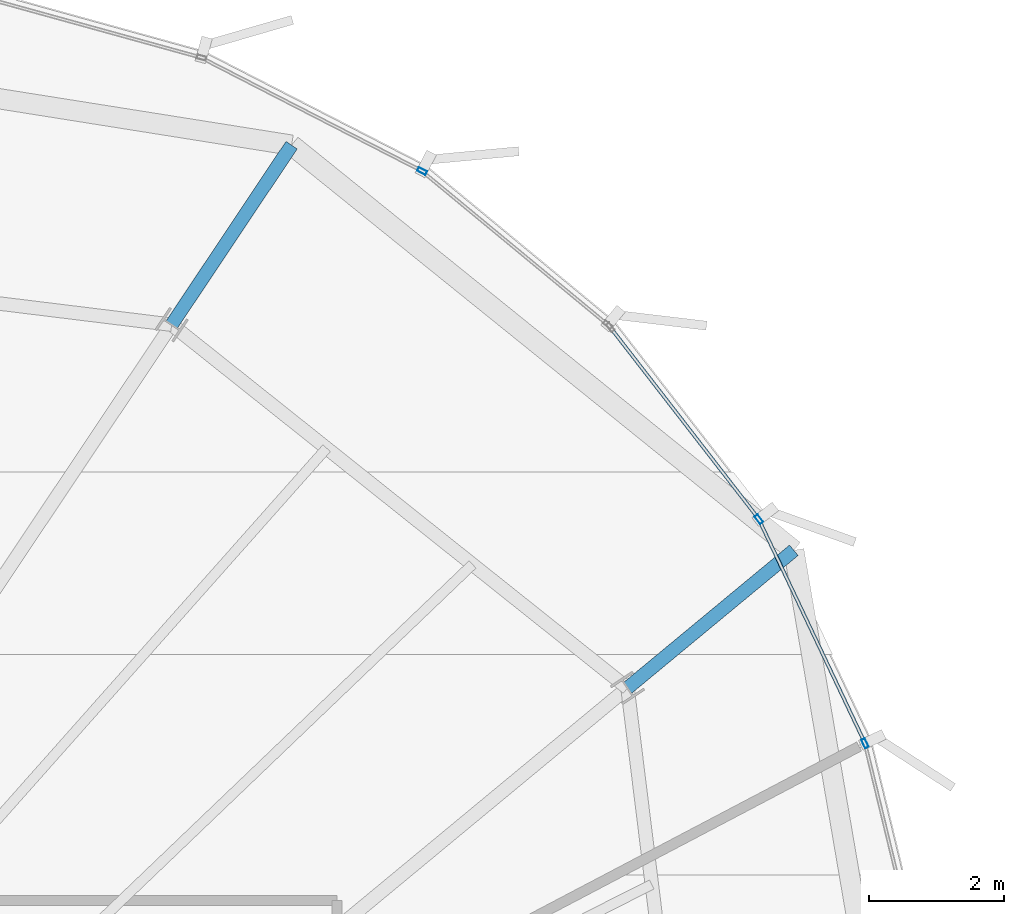
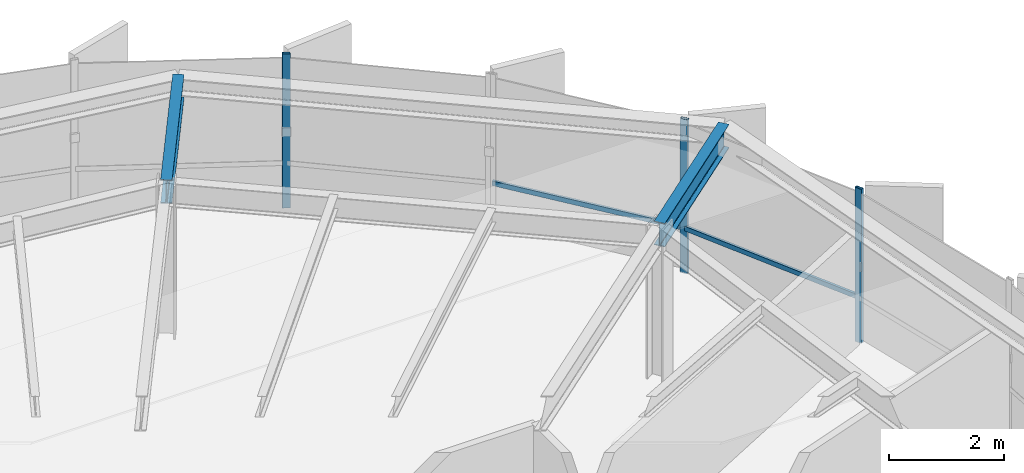
# One storey, part 24 of 33: 5 members, 2 beams, 2 elements without a shape of their own.
"""IFC4 building model written with IfcOpenShell, lengths in metres."""

from ifc_helpers import new_model, si_unit, direction, frame, origin, origin_2d, place, context, subcontext, project, spatial, hollow_rectangle, i_section, extrude, source, transform, mapped, material, layer, layer_set, material_profile, profile_set, type_object, element, aggregate, save


model = new_model("IFC4")

# Units and contexts
model_context = context("Model", 3, precision=1e-05, world=origin(), true_north=direction((0.0, 1.0)))
body_context = subcontext(model_context, "Body", "Model", "MODEL_VIEW")
ifc_project = project(units=[si_unit("LENGTHUNIT", "METRE"), si_unit("AREAUNIT", "SQUARE_METRE"), si_unit("VOLUMEUNIT", "CUBIC_METRE"), si_unit("PLANEANGLEUNIT", "RADIAN"), si_unit("MASSUNIT", "GRAM", prefix="KILO"), si_unit("THERMODYNAMICTEMPERATUREUNIT", "KELVIN")], contexts=[model_context])

# Site, building, storey
site_placement = place(None, origin())
site = spatial("IfcSite", under=ifc_project, at=site_placement, CompositionType="ELEMENT")
building_placement = place(site_placement, origin())
building = spatial("IfcBuilding", under=site, at=building_placement, Name="Kethvar Cultural Tower", CompositionType="ELEMENT")
storey_placement = place(building_placement, frame((0.0, 0.0, 211.39990234375)))
storey = spatial("IfcBuildingStorey", under=building, at=storey_placement, Name="L55", CompositionType="ELEMENT", Elevation=211.39990234375)

# Beams
ifc_material_1 = material(Name="Steel S355J2", Category="steel")
ifc_material_profile_1 = material_profile(ifc_material_1, i_section(OverallWidth=0.199951171875, OverallDepth=0.5, WebThickness=0.01025390625, FlangeThickness=0.01611328125, FilletRadius=0.02099609375, at=origin_2d()), Name="Steel S355J2 — IPE500")
ifc_profile_set_1 = profile_set([ifc_material_profile_1], Name="Steel S355J2 — IPE500")
beam_type = type_object("IfcBeamType", Name="BM-IPE500", PredefinedType="BEAM", material=ifc_profile_set_1)
shared_shape_1 = source(origin(), body_context, "Body", "SweptSolid", [
    extrude(i_section(OverallWidth=0.199951171875, OverallDepth=0.5, WebThickness=0.01025390625, FlangeThickness=0.01611328125, FilletRadius=0.02099609375, at=origin_2d()), origin(), (0.0, 0.0, 1.0), 3.2001953125),
])
beam_1_placement = place(storey_placement, frame((58.748046875, 45.681396484375, 3.008056640625), z_axis=(0.555544970406, 0.831486491686, 0.0), x_axis=(-0.831486491686, 0.555544970406, 0.0)))
element("IfcBeam", 1, at=beam_1_placement, inside=storey, type_object=beam_type, Name="L55 Perimeter Cantilever Beam RC-03", PredefinedType="BEAM", context=body_context, shape_type="MappedRepresentation", body=[
    mapped(shared_shape_1, transform((0.0, 0.0, 0.0), scale=1.0)),
])
shared_shape_2 = source(origin(), body_context, "Body", "SweptSolid", [
    extrude(i_section(OverallWidth=0.199951171875, OverallDepth=0.5, WebThickness=0.01025390625, FlangeThickness=0.01611328125, FilletRadius=0.02099609375, at=origin_2d()), origin(), (0.0, 0.0, 1.0), 3.199951171875),
])
beam_2_placement = place(storey_placement, frame((65.504150390625, 40.297607421875, 3.008056640625), z_axis=(0.770324538831, 0.637652024913, 0.0), x_axis=(-0.637652024913, 0.770324538831, 0.0)))
element("IfcBeam", 2, at=beam_2_placement, inside=storey, type_object=beam_type, Name="L55 Perimeter Cantilever Beam RC-02", PredefinedType="BEAM", context=body_context, shape_type="MappedRepresentation", body=[
    mapped(shared_shape_2, transform((0.0, 0.0, 0.0), scale=1.0)),
])

# Curtain wall, member
ifc_material_2 = material(Name="Aluminium 6063-T6", Category="aluminium")
ifc_layer = layer(ifc_material_2, 0.179931640625, Name="Aluminium 6063-T6", Category="aluminium")
ifc_layer_set = layer_set([ifc_layer], Name="Aluminium 6063-T6 (180 mm)")
curtain_wall_type = type_object("IfcCurtainWallType", Name="CW-SYS-04-Z34", PredefinedType="NOTDEFINED", material=ifc_layer_set)
curtain_wall_1_placement = place(storey_placement, origin())
curtain_wall_1 = element("IfcCurtainWall", 3, at=curtain_wall_1_placement, inside=storey, type_object=curtain_wall_type, Name="L55 Curtain Wall Run 01", PredefinedType="NOTDEFINED")
ifc_material_profile_2 = material_profile(ifc_material_2, hollow_rectangle(XDim=0.06005859375, YDim=0.139892578125, WallThickness=0.0048828125, at=origin_2d()), Name="Aluminium 6063-T6 — RHS140x60x5")
ifc_profile_set_2 = profile_set([ifc_material_profile_2], Name="Aluminium 6063-T6 — RHS140x60x5")
member_type_1 = type_object("IfcMemberType", Name="CW-SYS-04-Z34-MUL", PredefinedType="MULLION", material=ifc_profile_set_2)
shared_shape_3 = source(origin(), body_context, "Body", "SweptSolid", [
    extrude(hollow_rectangle(XDim=0.06005859375, YDim=0.139892578125, WallThickness=0.0048828125, at=origin_2d()), origin(), (0.0, 0.0, 1.0), 3.260009765625),
])
member_1_placement = place(storey_placement, frame((62.46044921875, 47.95751953125, 0.0), z_axis=(0.0, 0.0, 1.0), x_axis=(-0.456694275662, -0.889623706169, 0.0)))
member_1 = element("IfcMember", 4, at=member_1_placement, type_object=member_type_1, Name="CW-L55-R01 Mullion 2", PredefinedType="MULLION", context=body_context, shape_type="MappedRepresentation", body=[
    mapped(shared_shape_3, transform((0.0, 0.0, 0.0), scale=1.0)),
])
aggregate(curtain_wall_1, [member_1])

# Curtain wall, members
curtain_wall_2_placement = place(storey_placement, origin())
curtain_wall_2 = element("IfcCurtainWall", 5, at=curtain_wall_2_placement, inside=storey, type_object=curtain_wall_type, Name="L55 Curtain Wall Run 06", PredefinedType="NOTDEFINED")
member_2_placement = place(storey_placement, frame((69.0244140625, 39.4775390625, 0.0), z_axis=(0.0, 0.0, 1.0), x_axis=(-0.903537323475, -0.428509399065, 0.0)))
member_2 = element("IfcMember", 6, at=member_2_placement, type_object=member_type_1, Name="CW-L55-R06 Mullion 4", PredefinedType="MULLION", context=body_context, shape_type="MappedRepresentation", body=[
    mapped(shared_shape_3, transform((0.0, 0.0, 0.0), scale=1.0)),
])
member_3_placement = place(storey_placement, frame((67.451904296875, 42.79931640625, 0.0), z_axis=(0.0, 0.0, 1.0), x_axis=(-0.790454440902, -0.612520837897, 0.0)))
member_3 = element("IfcMember", 7, at=member_3_placement, type_object=member_type_1, Name="CW-L55-R06 Mullion 5", PredefinedType="MULLION", context=body_context, shape_type="MappedRepresentation", body=[
    mapped(shared_shape_3, transform((0.0, 0.0, 0.0), scale=1.0)),
])
ifc_material_profile_3 = material_profile(ifc_material_2, hollow_rectangle(XDim=0.050048828125, YDim=0.10009765625, WallThickness=0.00390625, at=origin_2d()), Name="Aluminium 6063-T6 — RHS100x50x4")
ifc_profile_set_3 = profile_set([ifc_material_profile_3], Name="Aluminium 6063-T6 — RHS100x50x4")
member_type_2 = type_object("IfcMemberType", Name="CW-SYS-04-Z34-TRN", PredefinedType="USERDEFINED", material=ifc_profile_set_3)
shared_shape_4 = source(origin(), body_context, "Body", "SweptSolid", [
    extrude(hollow_rectangle(XDim=0.050048828125, YDim=0.10009765625, WallThickness=0.00390625, at=origin_2d()), origin(), (0.0, 0.0, 1.0), 3.54833984375),
])
member_4_placement = place(storey_placement, frame((67.425537109375, 42.83349609375, 0.9501953125), z_axis=(-0.612563068243, 0.790421714925, 0.0), x_axis=(-0.790421714925, -0.612563068243, 0.0)))
member_4 = element("IfcMember", 8, at=member_4_placement, type_object=member_type_2, Name="CW-L55-R06 Transom 5", ObjectType="TRANSOM", PredefinedType="USERDEFINED", context=body_context, shape_type="MappedRepresentation", body=[
    mapped(shared_shape_4, transform((0.0, 0.0, 0.0), scale=1.0)),
])
shared_shape_5 = source(origin(), body_context, "Body", "SweptSolid", [
    extrude(hollow_rectangle(XDim=0.050048828125, YDim=0.10009765625, WallThickness=0.00390625, at=origin_2d()), origin(), (0.0, 0.0, 1.0), 3.612548828125),
])
member_5_placement = place(storey_placement, frame((69.006103515625, 39.5166015625, 0.9501953125), z_axis=(-0.428545305081, 0.903520293902, 0.0), x_axis=(-0.903520293902, -0.428545305081, 0.0)))
member_5 = element("IfcMember", 9, at=member_5_placement, type_object=member_type_2, Name="CW-L55-R06 Transom 4", ObjectType="TRANSOM", PredefinedType="USERDEFINED", context=body_context, shape_type="MappedRepresentation", body=[
    mapped(shared_shape_5, transform((0.0, 0.0, 0.0), scale=1.0)),
])
aggregate(curtain_wall_2, [member_2, member_3, member_5, member_4])

save(model, "model.ifc")
